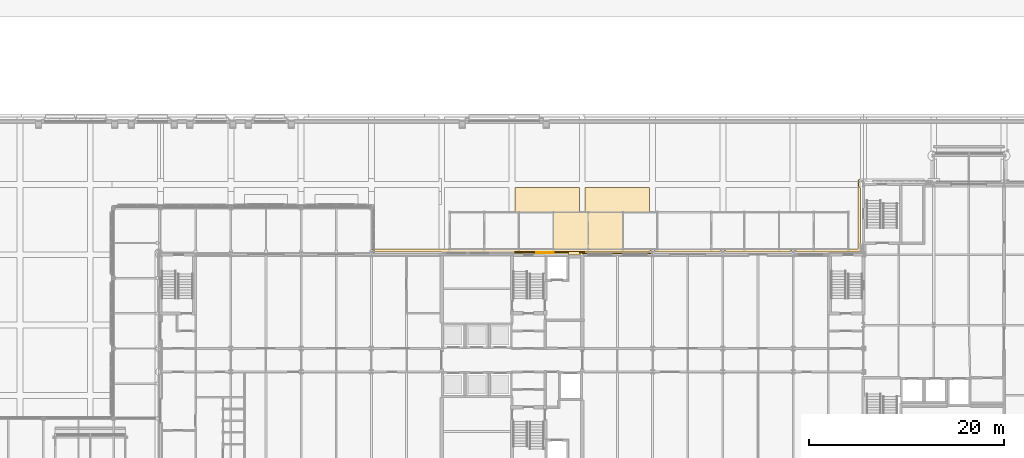
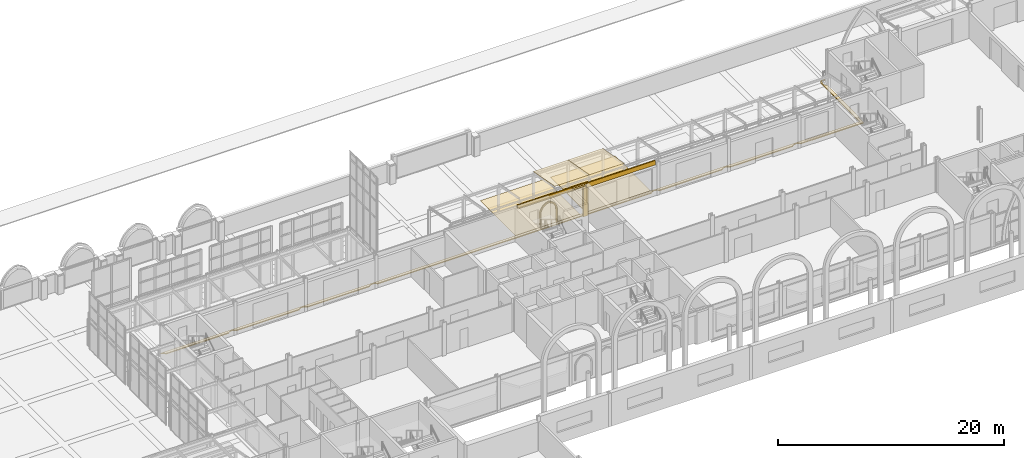
# One storey, part 122 of 143: 10 coverings.
"""IFC4 building model written with IfcOpenShell, lengths in metres."""

from ifc_helpers import new_model, si_unit, direction, frame, origin, origin_2d, place, context, subcontext, project, spatial, polyline, rectangle, outline, extrude, material, layer, layer_set, type_object, element, save


model = new_model("IFC4")

# Units and contexts
model_context = context("Model", 3, precision=1e-05, world=origin(), true_north=direction((0.0, 1.0)))
body_context = subcontext(model_context, "Body", "Model", "MODEL_VIEW")
ifc_project = project(units=[si_unit("LENGTHUNIT", "METRE"), si_unit("AREAUNIT", "SQUARE_METRE"), si_unit("VOLUMEUNIT", "CUBIC_METRE"), si_unit("PLANEANGLEUNIT", "RADIAN"), si_unit("MASSUNIT", "GRAM", prefix="KILO")], contexts=[model_context])

# Site, building, storey
site_placement = place(None, origin())
site = spatial("IfcSite", under=ifc_project, at=site_placement, CompositionType="ELEMENT")
building_placement = place(site_placement, origin())
building = spatial("IfcBuilding", under=site, at=building_placement, Name="Kupolbacken Congress Centre", CompositionType="ELEMENT")
storey_placement = place(building_placement, frame((0.0, 0.0, 7.199951171875)))
storey = spatial("IfcBuildingStorey", under=building, at=storey_placement, Name="L02", CompositionType="ELEMENT", Elevation=7.199951171875)

# Coverings
ifc_material_1 = material(Name="Limestone cladding", Category="masonry")
ifc_layer_1 = layer(ifc_material_1, 0.1201171875)
ifc_layer_set_1 = layer_set([ifc_layer_1], Name="Limestone cladding")
covering_type_1 = type_object("IfcCoveringType", Name="CV1 limestone cladding band 120", PredefinedType="CLADDING", material=ifc_layer_set_1)
covering_1_placement = place(storey_placement, frame((111.523193359375, 144.137451171875, 3.1201171875), z_axis=(0.0, 0.0, 1.0), x_axis=(-1.0, 0.0, 0.0)))
element("IfcCovering", 1, at=covering_1_placement, inside=storey, type_object=covering_type_1, Name="E/T/N/L02/017/band", PredefinedType="CLADDING", context=body_context, shape_type="SweptSolid", body=[
    extrude(rectangle(XDim=7.04638671875, YDim=0.10498046875, at=origin_2d()), origin(), (0.0, 0.0, 1.0), 0.47998046875),
])
covering_2_placement = place(storey_placement, frame((107.199951171875, 144.155029296875, 3.419921875), z_axis=(0.0, 0.0, 1.0), x_axis=(-1.0, 0.0, 0.0)))
element("IfcCovering", 2, at=covering_2_placement, inside=storey, type_object=covering_type_1, Name="E/T/N/L02/018/band", PredefinedType="CLADDING", context=body_context, shape_type="SweptSolid", body=[
    extrude(rectangle(XDim=1.199951171875, YDim=0.31005859375, at=origin_2d()), origin(), (0.0, 0.0, 1.0), 0.179931640625),
])
covering_3_placement = place(storey_placement, frame((108.0, 144.235107421875, 0.0), z_axis=(0.0, 0.0, 1.0), x_axis=(1.0, 0.0, 0.0)))
element("IfcCovering", 3, at=covering_3_placement, inside=storey, type_object=covering_type_1, Name="E/T/stripe/N/L02/pil108", PredefinedType="CLADDING", context=body_context, shape_type="SweptSolid", body=[
    extrude(rectangle(XDim=0.5, YDim=0.1201171875, at=origin_2d()), origin(), (0.0, 0.0, 1.0), 3.60009765625),
])
covering_4_placement = place(storey_placement, frame((104.39990234375, 144.235107421875, 3.2001953125), z_axis=(0.0, 0.0, 1.0), x_axis=(1.0, 0.0, 0.0)))
element("IfcCovering", 4, at=covering_4_placement, inside=storey, type_object=covering_type_1, Name="E/T/stripe/N/L02/belt100.8", PredefinedType="CLADDING", context=body_context, shape_type="SweptSolid", body=[
    extrude(rectangle(XDim=6.699951171875, YDim=0.1201171875, at=origin_2d()), origin(), (0.0, 0.0, 1.0), 0.39990234375),
])
covering_5_placement = place(storey_placement, frame((103.300048828125, 144.175048828125, 0.35009765625), z_axis=(0.0, 1.0, 0.0), x_axis=(-1.0, 0.0, 0.0)))
element("IfcCovering", 5, at=covering_5_placement, inside=storey, type_object=covering_type_1, Name="E/T/stripe/N/L02/niche100.8/1", PredefinedType="CLADDING", context=body_context, shape_type="SweptSolid", body=[
    extrude(outline(polyline([(0.0, 0.0), (0.0, 1.43408203125), (-0.00537109375, 1.54443359375), (-0.021484375, 1.654052734375), (-0.048095703125, 1.761474609375), (-0.084716796875, 1.86572265625), (-0.131591796875, 1.966064453125), (-0.187744140625, 2.061279296875), (-0.2529296875, 2.15087890625), (-0.32666015625, 2.2333984375), (-0.40771484375, 2.30859375), (-0.495849609375, 2.37548828125), (-0.590087890625, 2.433837890625), (-0.689453125, 2.482421875), (-0.793212890625, 2.521240234375), (-0.89990234375, 2.550048828125), (-1.0068359375, 2.521240234375), (-1.110595703125, 2.482421875), (-1.2099609375, 2.433837890625), (-1.30419921875, 2.37548828125), (-1.39208984375, 2.30859375), (-1.473388671875, 2.2333984375), (-1.547119140625, 2.15087890625), (-1.6123046875, 2.061279296875), (-1.66845703125, 1.966064453125), (-1.715087890625, 1.86572265625), (-1.751953125, 1.761474609375), (-1.778564453125, 1.654052734375), (-1.794677734375, 1.54443359375), (-1.800048828125, 1.43408203125), (-1.800048828125, 0.0), (-1.679931640625, 0.0), (-1.679931640625, 1.43408203125), (-1.67529296875, 1.531005859375), (-1.66162109375, 1.627197265625), (-1.638671875, 1.7216796875), (-1.60693359375, 1.8134765625), (-1.566650390625, 1.90185546875), (-1.51806640625, 1.986083984375), (-1.461669921875, 2.065185546875), (-1.398193359375, 2.138916015625), (-1.327880859375, 2.205810546875), (-1.25146484375, 2.26611328125), (-1.169677734375, 2.318603515625), (-1.08349609375, 2.36328125), (-0.9931640625, 2.3994140625), (-0.89990234375, 2.427001953125), (-0.806884765625, 2.3994140625), (-0.716552734375, 2.36328125), (-0.63037109375, 2.318603515625), (-0.548583984375, 2.26611328125), (-0.47216796875, 2.205810546875), (-0.40185546875, 2.138916015625), (-0.33837890625, 2.065185546875), (-0.281982421875, 1.986083984375), (-0.2333984375, 1.90185546875), (-0.193115234375, 1.8134765625), (-0.161376953125, 1.7216796875), (-0.138427734375, 1.627197265625), (-0.12451171875, 1.531005859375), (-0.1201171875, 1.43408203125), (-0.1201171875, 0.0), (0.0, 0.0)])), origin(), (0.0, 0.0, 1.0), 0.080078125),
])
ifc_material_2 = material(Name="Glass", Category="glass")
ifc_layer_2 = layer(ifc_material_2, 0.0439453125)
ifc_layer_set_2 = layer_set([ifc_layer_2], Name="Glass")
covering_type_2 = type_object("IfcCoveringType", Name="GC1 glazed canopy roof 44", PredefinedType="ROOFING", material=ifc_layer_set_2)
covering_6_placement = place(storey_placement, frame((105.050048828125, 144.550048828125, 4.033935546875), z_axis=(0.0, 0.181147956008, 0.983455854644), x_axis=(1.0, 0.0, 0.0)))
element("IfcCovering", 6, at=covering_6_placement, inside=storey, type_object=covering_type_2, Name="Covered passage glass", PredefinedType="ROOFING", context=body_context, shape_type="SweptSolid", body=[
    extrude(outline(polyline([(0.0, 0.0), (3.550048828125, 0.0), (3.550048828125, 3.863974992044251), (0.0, 3.863974992044251), (0.0, 0.0)])), origin(), (0.0, 0.0, -1.0), 0.0439453125),
])
covering_7_placement = place(storey_placement, frame((108.60009765625, 144.550048828125, 4.033935546875), z_axis=(0.0, 0.181147956008, 0.983455854644), x_axis=(1.0, 0.0, 0.0)))
element("IfcCovering", 7, at=covering_7_placement, inside=storey, type_object=covering_type_2, Name="Covered passage glass", PredefinedType="ROOFING", context=body_context, shape_type="SweptSolid", body=[
    extrude(outline(polyline([(0.0, 0.0), (3.5498046875, 0.0), (3.5498046875, 3.8639749920442514), (0.0, 3.8639749920442514), (0.0, 0.0)])), origin(), (0.0, 0.0, -1.0), 0.0439453125),
])
ifc_material_3 = material(Name="Limestone cladding", Category="masonry")
ifc_layer_3 = layer(ifc_material_3, 0.02001953125)
ifc_layer_set_3 = layer_set([ifc_layer_3], Name="Limestone cladding")
covering_type_3 = type_object("IfcCoveringType", Name="GF1 limestone paving 20", PredefinedType="FLOORING", material=ifc_layer_set_3)
covering_8_placement = place(storey_placement, origin())
element("IfcCovering", 8, at=covering_8_placement, inside=storey, type_object=covering_type_3, Name="Arrival deck limestone paving", PredefinedType="FLOORING", context=body_context, shape_type="SweptSolid", body=[
    extrude(outline(polyline([(108.300048828125, 144.574951171875), (108.300048828125, 150.89990234375), (114.89990234375, 150.89990234375), (114.89990234375, 144.574951171875), (108.300048828125, 144.574951171875)])), origin(), (0.0, 0.0, 1.0), 0.02001953125),
])
covering_9_placement = place(storey_placement, origin())
element("IfcCovering", 9, at=covering_9_placement, inside=storey, type_object=covering_type_3, Name="Arrival deck limestone paving", PredefinedType="FLOORING", context=body_context, shape_type="SweptSolid", body=[
    extrude(outline(polyline([(101.10009765625, 144.574951171875), (101.10009765625, 150.89990234375), (107.699951171875, 150.89990234375), (107.699951171875, 144.574951171875), (101.10009765625, 144.574951171875)])), origin(), (0.0, 0.0, 1.0), 0.02001953125),
])
ifc_material_4 = material(Name="Granite setts", Category="masonry")
ifc_layer_4 = layer(ifc_material_4, 0.10009765625)
ifc_layer_set_4 = layer_set([ifc_layer_4], Name="Granite setts")
covering_type_4 = type_object("IfcCoveringType", Name="GR3 granite sett paving 100", PredefinedType="FLOORING", material=ifc_layer_set_4)
covering_10_placement = place(storey_placement, origin())
element("IfcCovering", 10, at=covering_10_placement, inside=storey, type_object=covering_type_4, Name="Granite kerb edging", PredefinedType="FLOORING", context=body_context, shape_type="SweptSolid", body=[
    extrude(outline(polyline([(136.47265625, 151.747314453125), (136.440185546875, 151.73388671875), (136.410888671875, 151.714111328125), (136.397705078125, 151.702392578125), (136.3857421875, 151.689208984375), (136.3662109375, 151.659912109375), (136.352783203125, 151.627197265625), (136.345703125, 151.592529296875), (136.344970703125, 151.574951171875), (136.348388671875, 151.539794921875), (136.352783203125, 151.522705078125), (136.3662109375, 151.489990234375), (136.375244140625, 151.47509765625), (136.392578125, 151.453125), (136.376708984375, 151.42626953125), (136.3564453125, 151.3837890625), (136.340576171875, 151.33935546875), (136.3291015625, 151.293701171875), (136.322265625, 151.2470703125), (136.320068359375, 151.199951171875), (136.322265625, 151.15283203125), (136.3291015625, 151.106201171875), (136.340576171875, 151.060791015625), (136.3564453125, 151.016357421875), (136.376708984375, 150.9736328125), (136.40087890625, 150.933349609375), (136.428955078125, 150.8955078125), (136.460693359375, 150.860595703125), (136.49560546875, 150.828857421875), (136.52294921875, 150.80859375), (136.52294921875, 145.201904296875), (136.43798828125, 145.201904296875), (136.43798828125, 144.314453125), (136.408447265625, 144.277099609375), (129.991455078125, 144.277099609375), (129.97119140625, 144.304443359375), (129.939453125, 144.33935546875), (129.904541015625, 144.37109375), (129.86669921875, 144.399169921875), (129.826416015625, 144.42333984375), (129.78369140625, 144.443603515625), (129.7392578125, 144.45947265625), (129.693603515625, 144.470703125), (129.647216796875, 144.477783203125), (129.60009765625, 144.47998046875), (129.552978515625, 144.477783203125), (129.50634765625, 144.470703125), (129.460693359375, 144.45947265625), (129.416259765625, 144.443603515625), (129.373779296875, 144.42333984375), (129.333251953125, 144.399169921875), (129.29541015625, 144.37109375), (129.260498046875, 144.33935546875), (129.22900390625, 144.304443359375), (129.20849609375, 144.277099609375), (122.79150390625, 144.277099609375), (122.77099609375, 144.304443359375), (122.739501953125, 144.33935546875), (122.70458984375, 144.37109375), (122.666748046875, 144.399169921875), (122.626220703125, 144.42333984375), (122.583740234375, 144.443603515625), (122.539306640625, 144.45947265625), (122.49365234375, 144.470703125), (122.447021484375, 144.477783203125), (122.39990234375, 144.47998046875), (122.352783203125, 144.477783203125), (122.306396484375, 144.470703125), (122.2607421875, 144.45947265625), (122.21630859375, 144.443603515625), (122.173583984375, 144.42333984375), (122.13330078125, 144.399169921875), (122.095458984375, 144.37109375), (122.060546875, 144.33935546875), (122.02880859375, 144.304443359375), (122.008544921875, 144.277099609375), (115.591552734375, 144.277099609375), (115.571044921875, 144.304443359375), (115.539306640625, 144.33935546875), (115.50439453125, 144.37109375), (115.466796875, 144.399169921875), (115.42626953125, 144.42333984375), (115.3837890625, 144.443603515625), (115.33935546875, 144.45947265625), (115.293701171875, 144.470703125), (115.2470703125, 144.477783203125), (115.199951171875, 144.47998046875), (115.15283203125, 144.477783203125), (115.106201171875, 144.470703125), (115.060791015625, 144.45947265625), (115.016357421875, 144.443603515625), (114.9736328125, 144.42333984375), (114.933349609375, 144.399169921875), (114.8955078125, 144.37109375), (114.860595703125, 144.33935546875), (114.828857421875, 144.304443359375), (114.80859375, 144.277099609375), (86.79150390625, 144.277099609375), (86.77099609375, 144.304443359375), (86.739501953125, 144.33935546875), (86.70458984375, 144.37109375), (86.666748046875, 144.399169921875), (86.626220703125, 144.42333984375), (86.583740234375, 144.443603515625), (86.539306640625, 144.45947265625), (86.49365234375, 144.470703125), (86.447021484375, 144.477783203125), (86.39990234375, 144.47998046875), (86.352783203125, 144.477783203125), (86.306396484375, 144.470703125), (86.2607421875, 144.45947265625), (86.21630859375, 144.443603515625), (86.173583984375, 144.42333984375), (86.13330078125, 144.399169921875), (86.095458984375, 144.37109375), (86.060546875, 144.33935546875), (86.02880859375, 144.304443359375), (86.008544921875, 144.277099609375), (79.591552734375, 144.277099609375), (79.571044921875, 144.304443359375), (79.539306640625, 144.33935546875), (79.50439453125, 144.37109375), (79.466796875, 144.399169921875), (79.42626953125, 144.42333984375), (79.3837890625, 144.443603515625), (79.33935546875, 144.45947265625), (79.293701171875, 144.470703125), (79.2470703125, 144.477783203125), (79.199951171875, 144.47998046875), (79.15283203125, 144.477783203125), (79.106201171875, 144.470703125), (79.060791015625, 144.45947265625), (79.016357421875, 144.443603515625), (78.9736328125, 144.42333984375), (78.933349609375, 144.399169921875), (78.8955078125, 144.37109375), (78.860595703125, 144.33935546875), (78.828857421875, 144.304443359375), (78.80859375, 144.277099609375), (72.3916015625, 144.277099609375), (72.37109375, 144.304443359375), (72.33935546875, 144.33935546875), (72.304443359375, 144.37109375), (72.2666015625, 144.399169921875), (72.226318359375, 144.42333984375), (72.18359375, 144.443603515625), (72.139404296875, 144.45947265625), (72.09375, 144.470703125), (72.047119140625, 144.477783203125), (72.0, 144.47998046875), (71.952880859375, 144.477783203125), (71.90625, 144.470703125), (71.860595703125, 144.45947265625), (71.81640625, 144.443603515625), (71.773681640625, 144.42333984375), (71.7333984375, 144.399169921875), (71.695556640625, 144.37109375), (71.66064453125, 144.33935546875), (71.62890625, 144.304443359375), (71.6083984375, 144.277099609375), (65.19140625, 144.277099609375), (65.171142578125, 144.304443359375), (65.139404296875, 144.33935546875), (65.1044921875, 144.37109375), (65.066650390625, 144.399169921875), (65.0263671875, 144.42333984375), (64.983642578125, 144.443603515625), (64.962890625, 144.450927734375), (64.94970703125, 144.47509765625), (64.939208984375, 144.4892578125), (64.914306640625, 144.51416015625), (64.89990234375, 144.524658203125), (64.885009765625, 144.53369140625), (64.852294921875, 144.54736328125), (64.835205078125, 144.551513671875), (64.802001953125, 144.554931640625), (64.802001953125, 144.574951171875), (136.22509765625, 144.574951171875), (136.22509765625, 151.47509765625), (136.226318359375, 151.50439453125), (136.230712890625, 151.533447265625), (136.23779296875, 151.56201171875), (136.247802734375, 151.58984375), (136.260498046875, 151.616455078125), (136.275634765625, 151.6416015625), (136.293212890625, 151.665283203125), (136.31298828125, 151.68701171875), (136.334716796875, 151.706787109375), (136.3583984375, 151.724365234375), (136.383544921875, 151.739501953125), (136.41015625, 151.752197265625), (136.43798828125, 151.76220703125), (136.466552734375, 151.769287109375), (136.49560546875, 151.773681640625), (136.52490234375, 151.77490234375), (136.798095703125, 151.77490234375), (136.798095703125, 151.7548828125), (136.5244140625, 151.7548828125), (136.489990234375, 151.751708984375), (136.47265625, 151.747314453125)])), origin(), (0.0, 0.0, 1.0), 0.10009765625),
])

save(model, "model.ifc")
